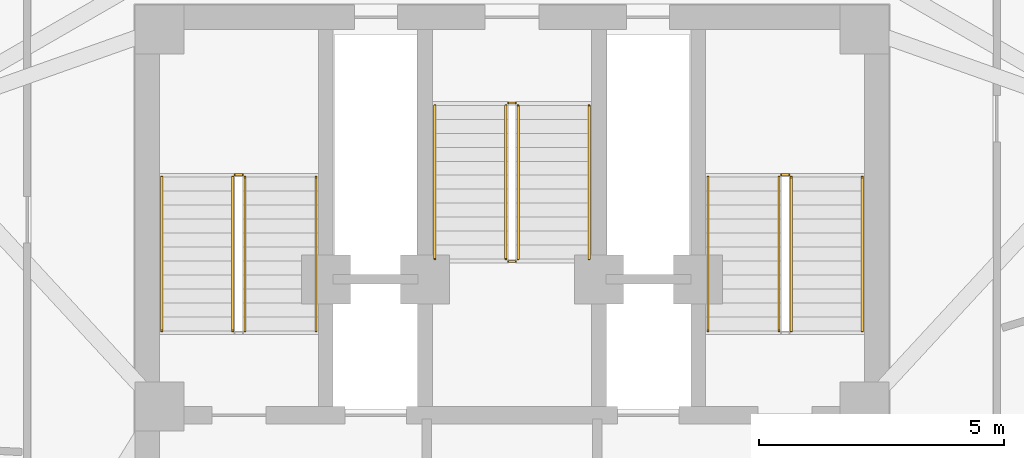
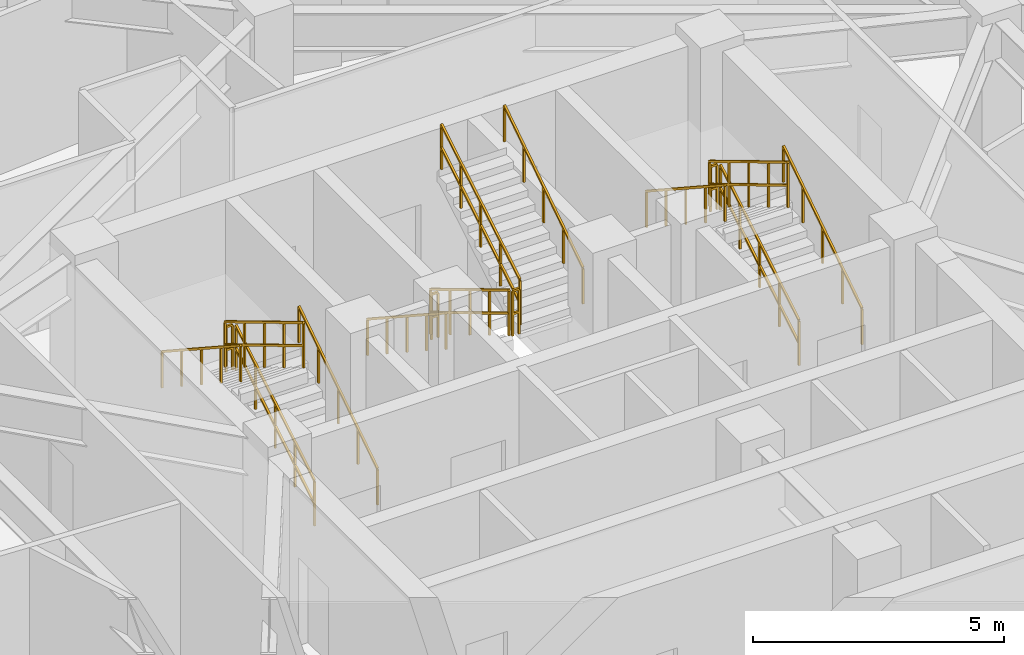
# One storey, part 10 of 11: 16 railings.
"""IFC4 building model written with IfcOpenShell, lengths in metres."""

from ifc_helpers import new_model, si_unit, direction, frame, origin, origin_2d, place, context, subcontext, project, spatial, rectangle, extrude, material, type_object, element, save


model = new_model("IFC4")

# Units and contexts
model_context = context("Model", 3, precision=1e-05, world=origin(), true_north=direction((0.0, 1.0)))
body_context = subcontext(model_context, "Body", "Model", "MODEL_VIEW")
ifc_project = project(units=[si_unit("LENGTHUNIT", "METRE"), si_unit("AREAUNIT", "SQUARE_METRE"), si_unit("VOLUMEUNIT", "CUBIC_METRE"), si_unit("PLANEANGLEUNIT", "RADIAN"), si_unit("MASSUNIT", "GRAM", prefix="KILO")], contexts=[model_context])

# Site, building, storey
site_placement = place(None, origin())
site = spatial("IfcSite", under=ifc_project, at=site_placement, CompositionType="ELEMENT")
building_placement = place(site_placement, origin())
building = spatial("IfcBuilding", under=site, at=building_placement, Name="Apsidion Concourse Tower", CompositionType="ELEMENT")
storey_placement = place(building_placement, frame((0.0, 0.0, 281.89990234375)))
storey = spatial("IfcBuildingStorey", under=building, at=storey_placement, Name="L66", CompositionType="ELEMENT", Elevation=281.89990234375)

# Railings
ifc_material = material(Name="Brushed stainless steel 316", Category="steel")
railing_type_1 = type_object("IfcRailingType", Name="RL-GUARD-1100", PredefinedType="GUARDRAIL", material=ifc_material)
railing_1_placement = place(storey_placement, frame((-5.449951171875, 3.0, 0.1708984375)))
element("IfcRailing", 1, at=railing_1_placement, inside=storey, type_object=railing_type_1, Name="L66 ST1 stair guard 1", PredefinedType="GUARDRAIL", context=body_context, shape_type="SweptSolid", body=[
    extrude(rectangle(XDim=0.048095703125, YDim=0.048095703125, at=origin_2d()), frame((0.0, 0.0, 1.09619140625), z_axis=(0.0, 0.857716804754, 0.514122439544), x_axis=(-1.0, 0.0, 0.0)), (0.0, 0.0, 1.0), 3.655029296875),
    extrude(rectangle(XDim=0.048095703125, YDim=0.048095703125, at=origin_2d()), frame((0.0, 0.0, 0.5361328125), z_axis=(0.0, 0.857716804754, 0.514122439544), x_axis=(-1.0, 0.0, 0.0)), (0.0, 0.0, 1.0), 3.655029296875),
    extrude(rectangle(XDim=0.0419921875, YDim=0.0419921875, at=origin_2d()), origin(), (0.0, 0.0, 1.0), 1.072021484375),
    extrude(rectangle(XDim=0.0419921875, YDim=0.0419921875, at=origin_2d()), frame((0.0, 0.78369140625, 0.4697265625)), (0.0, 0.0, 1.0), 1.072021484375),
    extrude(rectangle(XDim=0.0419921875, YDim=0.0419921875, at=origin_2d()), frame((0.0, 1.5673828125, 0.939453125)), (0.0, 0.0, 1.0), 1.072021484375),
    extrude(rectangle(XDim=0.0419921875, YDim=0.0419921875, at=origin_2d()), frame((0.0, 2.351318359375, 1.409423828125)), (0.0, 0.0, 1.0), 1.072021484375),
    extrude(rectangle(XDim=0.0419921875, YDim=0.0419921875, at=origin_2d()), frame((0.0, 3.135009765625, 1.879150390625)), (0.0, 0.0, 1.0), 1.072021484375),
])
railing_2_placement = place(storey_placement, frame((-5.5, 6.18505859375, 2.050048828125)))
element("IfcRailing", 2, at=railing_2_placement, inside=storey, type_object=railing_type_1, Name="L66 ST1 stair guard 2", PredefinedType="GUARDRAIL", context=body_context, shape_type="SweptSolid", body=[
    extrude(rectangle(XDim=0.048095703125, YDim=0.048095703125, at=origin_2d()), frame((0.0, 0.0, 1.09619140625), z_axis=(-1.0, 0.0, 0.0), x_axis=(0.0, -1.0, 0.0)), (0.0, 0.0, 1.0), 0.14990234375),
    extrude(rectangle(XDim=0.048095703125, YDim=0.048095703125, at=origin_2d()), frame((0.0, 0.0, 0.5361328125), z_axis=(-1.0, 0.0, 0.0), x_axis=(0.0, -1.0, 0.0)), (0.0, 0.0, 1.0), 0.14990234375),
    extrude(rectangle(XDim=0.0419921875, YDim=0.0419921875, at=origin_2d()), origin(), (0.0, 0.0, 1.0), 1.072021484375),
    extrude(rectangle(XDim=0.0419921875, YDim=0.0419921875, at=origin_2d()), frame((-0.14990234375, 0.0, 0.0)), (0.0, 0.0, 1.0), 1.072021484375),
])
railing_3_placement = place(storey_placement, frame((-5.699951171875, 6.135009765625, 2.220947265625)))
element("IfcRailing", 3, at=railing_3_placement, inside=storey, type_object=railing_type_1, Name="L66 ST1 stair guard 3", PredefinedType="GUARDRAIL", context=body_context, shape_type="SweptSolid", body=[
    extrude(rectangle(XDim=0.048095703125, YDim=0.048095703125, at=origin_2d()), frame((0.0, 0.0, 1.09619140625), z_axis=(0.0, -0.857716804754, 0.514122439544), x_axis=(1.0, 0.0, 0.0)), (0.0, 0.0, 1.0), 3.655029296875),
    extrude(rectangle(XDim=0.048095703125, YDim=0.048095703125, at=origin_2d()), frame((0.0, 0.0, 0.5361328125), z_axis=(0.0, -0.857716804754, 0.514122439544), x_axis=(1.0, 0.0, 0.0)), (0.0, 0.0, 1.0), 3.655029296875),
    extrude(rectangle(XDim=0.0419921875, YDim=0.0419921875, at=origin_2d()), origin(), (0.0, 0.0, 1.0), 1.072021484375),
    extrude(rectangle(XDim=0.0419921875, YDim=0.0419921875, at=origin_2d()), frame((0.0, -0.78369140625, 0.4697265625)), (0.0, 0.0, 1.0), 1.072021484375),
    extrude(rectangle(XDim=0.0419921875, YDim=0.0419921875, at=origin_2d()), frame((0.0, -1.5673828125, 0.939453125)), (0.0, 0.0, 1.0), 1.072021484375),
    extrude(rectangle(XDim=0.0419921875, YDim=0.0419921875, at=origin_2d()), frame((0.0, -2.351318359375, 1.409423828125)), (0.0, 0.0, 1.0), 1.072021484375),
    extrude(rectangle(XDim=0.0419921875, YDim=0.0419921875, at=origin_2d()), frame((0.0, -3.135009765625, 1.879150390625)), (0.0, 0.0, 1.0), 1.072021484375),
])
railing_4_placement = place(storey_placement, frame((5.699951171875, 3.0, 0.1708984375)))
element("IfcRailing", 4, at=railing_4_placement, inside=storey, type_object=railing_type_1, Name="L66 ST2 stair guard 1", PredefinedType="GUARDRAIL", context=body_context, shape_type="SweptSolid", body=[
    extrude(rectangle(XDim=0.048095703125, YDim=0.048095703125, at=origin_2d()), frame((0.0, 0.0, 1.09619140625), z_axis=(0.0, 0.857716804754, 0.514122439544), x_axis=(-1.0, 0.0, 0.0)), (0.0, 0.0, 1.0), 3.655029296875),
    extrude(rectangle(XDim=0.048095703125, YDim=0.048095703125, at=origin_2d()), frame((0.0, 0.0, 0.5361328125), z_axis=(0.0, 0.857716804754, 0.514122439544), x_axis=(-1.0, 0.0, 0.0)), (0.0, 0.0, 1.0), 3.655029296875),
    extrude(rectangle(XDim=0.0419921875, YDim=0.0419921875, at=origin_2d()), origin(), (0.0, 0.0, 1.0), 1.072021484375),
    extrude(rectangle(XDim=0.0419921875, YDim=0.0419921875, at=origin_2d()), frame((0.0, 0.78369140625, 0.4697265625)), (0.0, 0.0, 1.0), 1.072021484375),
    extrude(rectangle(XDim=0.0419921875, YDim=0.0419921875, at=origin_2d()), frame((0.0, 1.5673828125, 0.939453125)), (0.0, 0.0, 1.0), 1.072021484375),
    extrude(rectangle(XDim=0.0419921875, YDim=0.0419921875, at=origin_2d()), frame((0.0, 2.351318359375, 1.409423828125)), (0.0, 0.0, 1.0), 1.072021484375),
    extrude(rectangle(XDim=0.0419921875, YDim=0.0419921875, at=origin_2d()), frame((0.0, 3.135009765625, 1.879150390625)), (0.0, 0.0, 1.0), 1.072021484375),
])
railing_5_placement = place(storey_placement, frame((5.64990234375, 6.18505859375, 2.050048828125)))
element("IfcRailing", 5, at=railing_5_placement, inside=storey, type_object=railing_type_1, Name="L66 ST2 stair guard 2", PredefinedType="GUARDRAIL", context=body_context, shape_type="SweptSolid", body=[
    extrude(rectangle(XDim=0.048095703125, YDim=0.048095703125, at=origin_2d()), frame((0.0, 0.0, 1.09619140625), z_axis=(-1.0, 0.0, 0.0), x_axis=(0.0, -1.0, 0.0)), (0.0, 0.0, 1.0), 0.14990234375),
    extrude(rectangle(XDim=0.048095703125, YDim=0.048095703125, at=origin_2d()), frame((0.0, 0.0, 0.5361328125), z_axis=(-1.0, 0.0, 0.0), x_axis=(0.0, -1.0, 0.0)), (0.0, 0.0, 1.0), 0.14990234375),
    extrude(rectangle(XDim=0.0419921875, YDim=0.0419921875, at=origin_2d()), origin(), (0.0, 0.0, 1.0), 1.072021484375),
    extrude(rectangle(XDim=0.0419921875, YDim=0.0419921875, at=origin_2d()), frame((-0.14990234375, 0.0, 0.0)), (0.0, 0.0, 1.0), 1.072021484375),
])
for number, where, name in (
    (6, (5.449951171875, 6.135009765625, 2.220947265625), "L66 ST2 stair guard 3"),
    (7, (-0.125, 7.60009765625, 0.1708984375), "L66 ST3 stair guard 1"),
):
    element("IfcRailing", number, at=place(storey_placement, frame(where)), inside=storey, type_object=railing_type_1, Name=name, PredefinedType="GUARDRAIL", context=body_context, shape_type="SweptSolid", body=[
        extrude(rectangle(XDim=0.048095703125, YDim=0.048095703125, at=origin_2d()), frame((0.0, 0.0, 1.09619140625), z_axis=(0.0, -0.857716804754, 0.514122439544), x_axis=(1.0, 0.0, 0.0)), (0.0, 0.0, 1.0), 3.655029296875),
        extrude(rectangle(XDim=0.048095703125, YDim=0.048095703125, at=origin_2d()), frame((0.0, 0.0, 0.5361328125), z_axis=(0.0, -0.857716804754, 0.514122439544), x_axis=(1.0, 0.0, 0.0)), (0.0, 0.0, 1.0), 3.655029296875),
        extrude(rectangle(XDim=0.0419921875, YDim=0.0419921875, at=origin_2d()), origin(), (0.0, 0.0, 1.0), 1.072021484375),
        extrude(rectangle(XDim=0.0419921875, YDim=0.0419921875, at=origin_2d()), frame((0.0, -0.78369140625, 0.4697265625)), (0.0, 0.0, 1.0), 1.072021484375),
        extrude(rectangle(XDim=0.0419921875, YDim=0.0419921875, at=origin_2d()), frame((0.0, -1.5673828125, 0.939453125)), (0.0, 0.0, 1.0), 1.072021484375),
        extrude(rectangle(XDim=0.0419921875, YDim=0.0419921875, at=origin_2d()), frame((0.0, -2.351318359375, 1.409423828125)), (0.0, 0.0, 1.0), 1.072021484375),
        extrude(rectangle(XDim=0.0419921875, YDim=0.0419921875, at=origin_2d()), frame((0.0, -3.135009765625, 1.879150390625)), (0.0, 0.0, 1.0), 1.072021484375),
    ])
railing_6_placement = place(storey_placement, frame((-0.074951171875, 4.4150390625, 2.050048828125)))
element("IfcRailing", 8, at=railing_6_placement, inside=storey, type_object=railing_type_1, Name="L66 ST3 stair guard 2", PredefinedType="GUARDRAIL", context=body_context, shape_type="SweptSolid", body=[
    extrude(rectangle(XDim=0.048095703125, YDim=0.048095703125, at=origin_2d()), frame((0.0, 0.0, 1.09619140625), z_axis=(1.0, 0.0, 0.0), x_axis=(0.0, 1.0, 0.0)), (0.0, 0.0, 1.0), 0.14990234375),
    extrude(rectangle(XDim=0.048095703125, YDim=0.048095703125, at=origin_2d()), frame((0.0, 0.0, 0.5361328125), z_axis=(1.0, 0.0, 0.0), x_axis=(0.0, 1.0, 0.0)), (0.0, 0.0, 1.0), 0.14990234375),
    extrude(rectangle(XDim=0.0419921875, YDim=0.0419921875, at=origin_2d()), origin(), (0.0, 0.0, 1.0), 1.072021484375),
    extrude(rectangle(XDim=0.0419921875, YDim=0.0419921875, at=origin_2d()), frame((0.14990234375, 0.0, 0.0)), (0.0, 0.0, 1.0), 1.072021484375),
])
railing_7_placement = place(storey_placement, frame((0.125, 4.465087890625, 2.220947265625)))
element("IfcRailing", 9, at=railing_7_placement, inside=storey, type_object=railing_type_1, Name="L66 ST3 stair guard 3", PredefinedType="GUARDRAIL", context=body_context, shape_type="SweptSolid", body=[
    extrude(rectangle(XDim=0.048095703125, YDim=0.048095703125, at=origin_2d()), frame((0.0, 0.0, 1.09619140625), z_axis=(0.0, 0.857716804754, 0.514122439544), x_axis=(-1.0, 0.0, 0.0)), (0.0, 0.0, 1.0), 3.655029296875),
    extrude(rectangle(XDim=0.048095703125, YDim=0.048095703125, at=origin_2d()), frame((0.0, 0.0, 0.5361328125), z_axis=(0.0, 0.857716804754, 0.514122439544), x_axis=(-1.0, 0.0, 0.0)), (0.0, 0.0, 1.0), 3.655029296875),
    extrude(rectangle(XDim=0.0419921875, YDim=0.0419921875, at=origin_2d()), origin(), (0.0, 0.0, 1.0), 1.072021484375),
    extrude(rectangle(XDim=0.0419921875, YDim=0.0419921875, at=origin_2d()), frame((0.0, 0.78369140625, 0.4697265625)), (0.0, 0.0, 1.0), 1.072021484375),
    extrude(rectangle(XDim=0.0419921875, YDim=0.0419921875, at=origin_2d()), frame((0.0, 1.5673828125, 0.939453125)), (0.0, 0.0, 1.0), 1.072021484375),
    extrude(rectangle(XDim=0.0419921875, YDim=0.0419921875, at=origin_2d()), frame((0.0, 2.351318359375, 1.409423828125)), (0.0, 0.0, 1.0), 1.072021484375),
    extrude(rectangle(XDim=0.0419921875, YDim=0.0419921875, at=origin_2d()), frame((0.0, 3.135009765625, 1.879150390625)), (0.0, 0.0, 1.0), 1.072021484375),
])
railing_8_placement = place(storey_placement, frame((-0.074951171875, 7.64990234375, 0.0)))
element("IfcRailing", 10, at=railing_8_placement, inside=storey, type_object=railing_type_1, Name="L66 ST3 stair guard 4", PredefinedType="GUARDRAIL", context=body_context, shape_type="SweptSolid", body=[
    extrude(rectangle(XDim=0.048095703125, YDim=0.048095703125, at=origin_2d()), frame((0.0, 0.0, 1.09619140625), z_axis=(1.0, 0.0, 0.0), x_axis=(0.0, 1.0, 0.0)), (0.0, 0.0, 1.0), 0.14990234375),
    extrude(rectangle(XDim=0.048095703125, YDim=0.048095703125, at=origin_2d()), frame((0.0, 0.0, 0.5361328125), z_axis=(1.0, 0.0, 0.0), x_axis=(0.0, 1.0, 0.0)), (0.0, 0.0, 1.0), 0.14990234375),
    extrude(rectangle(XDim=0.0419921875, YDim=0.0419921875, at=origin_2d()), origin(), (0.0, 0.0, 1.0), 1.072021484375),
    extrude(rectangle(XDim=0.0419921875, YDim=0.0419921875, at=origin_2d()), frame((0.14990234375, 0.0, 0.0)), (0.0, 0.0, 1.0), 1.072021484375),
])
railing_type_2 = type_object("IfcRailingType", Name="RL-HAND-900", PredefinedType="HANDRAIL", material=ifc_material)
railing_9_placement = place(storey_placement, frame((-4.0, 3.0, 0.1708984375)))
element("IfcRailing", 11, at=railing_9_placement, inside=storey, type_object=railing_type_2, Name="L66 ST1 stair handrail 1", PredefinedType="HANDRAIL", context=body_context, shape_type="SweptSolid", body=[
    extrude(rectangle(XDim=0.048095703125, YDim=0.048095703125, at=origin_2d()), frame((0.0, 0.0, 0.8759765625), z_axis=(0.0, 0.836940907821, 0.547293263996), x_axis=(-1.0, 0.0, 0.0)), (0.0, 0.0, 1.0), 3.745849609375),
    extrude(rectangle(XDim=0.0419921875, YDim=0.0419921875, at=origin_2d()), origin(), (0.0, 0.0, 1.0), 0.851806640625),
    extrude(rectangle(XDim=0.0419921875, YDim=0.0419921875, at=origin_2d()), frame((0.0, 0.78369140625, 0.512451171875)), (0.0, 0.0, 1.0), 0.851806640625),
    extrude(rectangle(XDim=0.0419921875, YDim=0.0419921875, at=origin_2d()), frame((0.0, 1.5673828125, 1.02490234375)), (0.0, 0.0, 1.0), 0.851806640625),
    extrude(rectangle(XDim=0.0419921875, YDim=0.0419921875, at=origin_2d()), frame((0.0, 2.351318359375, 1.53759765625)), (0.0, 0.0, 1.0), 0.851806640625),
    extrude(rectangle(XDim=0.0419921875, YDim=0.0419921875, at=origin_2d()), frame((0.0, 3.135009765625, 2.050048828125)), (0.0, 0.0, 1.0), 0.851806640625),
])
railing_10_placement = place(storey_placement, frame((-7.14990234375, 6.135009765625, 2.220947265625)))
element("IfcRailing", 12, at=railing_10_placement, inside=storey, type_object=railing_type_2, Name="L66 ST1 stair handrail 2", PredefinedType="HANDRAIL", context=body_context, shape_type="SweptSolid", body=[
    extrude(rectangle(XDim=0.048095703125, YDim=0.048095703125, at=origin_2d()), frame((0.0, 0.0, 0.8759765625), z_axis=(0.0, -0.836940907821, 0.547293263996), x_axis=(1.0, 0.0, 0.0)), (0.0, 0.0, 1.0), 3.745849609375),
    extrude(rectangle(XDim=0.0419921875, YDim=0.0419921875, at=origin_2d()), origin(), (0.0, 0.0, 1.0), 0.851806640625),
    extrude(rectangle(XDim=0.0419921875, YDim=0.0419921875, at=origin_2d()), frame((0.0, -0.78369140625, 0.512451171875)), (0.0, 0.0, 1.0), 0.851806640625),
    extrude(rectangle(XDim=0.0419921875, YDim=0.0419921875, at=origin_2d()), frame((0.0, -1.5673828125, 1.02490234375)), (0.0, 0.0, 1.0), 0.851806640625),
    extrude(rectangle(XDim=0.0419921875, YDim=0.0419921875, at=origin_2d()), frame((0.0, -2.351318359375, 1.53759765625)), (0.0, 0.0, 1.0), 0.851806640625),
    extrude(rectangle(XDim=0.0419921875, YDim=0.0419921875, at=origin_2d()), frame((0.0, -3.135009765625, 2.050048828125)), (0.0, 0.0, 1.0), 0.851806640625),
])
railing_11_placement = place(storey_placement, frame((7.14990234375, 3.0, 0.1708984375)))
element("IfcRailing", 13, at=railing_11_placement, inside=storey, type_object=railing_type_2, Name="L66 ST2 stair handrail 1", PredefinedType="HANDRAIL", context=body_context, shape_type="SweptSolid", body=[
    extrude(rectangle(XDim=0.048095703125, YDim=0.048095703125, at=origin_2d()), frame((0.0, 0.0, 0.8759765625), z_axis=(0.0, 0.836940907821, 0.547293263996), x_axis=(-1.0, 0.0, 0.0)), (0.0, 0.0, 1.0), 3.745849609375),
    extrude(rectangle(XDim=0.0419921875, YDim=0.0419921875, at=origin_2d()), origin(), (0.0, 0.0, 1.0), 0.851806640625),
    extrude(rectangle(XDim=0.0419921875, YDim=0.0419921875, at=origin_2d()), frame((0.0, 0.78369140625, 0.512451171875)), (0.0, 0.0, 1.0), 0.851806640625),
    extrude(rectangle(XDim=0.0419921875, YDim=0.0419921875, at=origin_2d()), frame((0.0, 1.5673828125, 1.02490234375)), (0.0, 0.0, 1.0), 0.851806640625),
    extrude(rectangle(XDim=0.0419921875, YDim=0.0419921875, at=origin_2d()), frame((0.0, 2.351318359375, 1.53759765625)), (0.0, 0.0, 1.0), 0.851806640625),
    extrude(rectangle(XDim=0.0419921875, YDim=0.0419921875, at=origin_2d()), frame((0.0, 3.135009765625, 2.050048828125)), (0.0, 0.0, 1.0), 0.851806640625),
])
for number, where, name in (
    (14, (4.0, 6.135009765625, 2.220947265625), "L66 ST2 stair handrail 2"),
    (15, (-1.574951171875, 7.60009765625, 0.1708984375), "L66 ST3 stair handrail 1"),
):
    element("IfcRailing", number, at=place(storey_placement, frame(where)), inside=storey, type_object=railing_type_2, Name=name, PredefinedType="HANDRAIL", context=body_context, shape_type="SweptSolid", body=[
        extrude(rectangle(XDim=0.048095703125, YDim=0.048095703125, at=origin_2d()), frame((0.0, 0.0, 0.8759765625), z_axis=(0.0, -0.836940907821, 0.547293263996), x_axis=(1.0, 0.0, 0.0)), (0.0, 0.0, 1.0), 3.745849609375),
        extrude(rectangle(XDim=0.0419921875, YDim=0.0419921875, at=origin_2d()), origin(), (0.0, 0.0, 1.0), 0.851806640625),
        extrude(rectangle(XDim=0.0419921875, YDim=0.0419921875, at=origin_2d()), frame((0.0, -0.78369140625, 0.512451171875)), (0.0, 0.0, 1.0), 0.851806640625),
        extrude(rectangle(XDim=0.0419921875, YDim=0.0419921875, at=origin_2d()), frame((0.0, -1.5673828125, 1.02490234375)), (0.0, 0.0, 1.0), 0.851806640625),
        extrude(rectangle(XDim=0.0419921875, YDim=0.0419921875, at=origin_2d()), frame((0.0, -2.351318359375, 1.53759765625)), (0.0, 0.0, 1.0), 0.851806640625),
        extrude(rectangle(XDim=0.0419921875, YDim=0.0419921875, at=origin_2d()), frame((0.0, -3.135009765625, 2.050048828125)), (0.0, 0.0, 1.0), 0.851806640625),
    ])
railing_12_placement = place(storey_placement, frame((1.574951171875, 4.465087890625, 2.220947265625)))
element("IfcRailing", 16, at=railing_12_placement, inside=storey, type_object=railing_type_2, Name="L66 ST3 stair handrail 2", PredefinedType="HANDRAIL", context=body_context, shape_type="SweptSolid", body=[
    extrude(rectangle(XDim=0.048095703125, YDim=0.048095703125, at=origin_2d()), frame((0.0, 0.0, 0.8759765625), z_axis=(0.0, 0.836940907821, 0.547293263996), x_axis=(-1.0, 0.0, 0.0)), (0.0, 0.0, 1.0), 3.745849609375),
    extrude(rectangle(XDim=0.0419921875, YDim=0.0419921875, at=origin_2d()), origin(), (0.0, 0.0, 1.0), 0.851806640625),
    extrude(rectangle(XDim=0.0419921875, YDim=0.0419921875, at=origin_2d()), frame((0.0, 0.78369140625, 0.512451171875)), (0.0, 0.0, 1.0), 0.851806640625),
    extrude(rectangle(XDim=0.0419921875, YDim=0.0419921875, at=origin_2d()), frame((0.0, 1.5673828125, 1.02490234375)), (0.0, 0.0, 1.0), 0.851806640625),
    extrude(rectangle(XDim=0.0419921875, YDim=0.0419921875, at=origin_2d()), frame((0.0, 2.351318359375, 1.53759765625)), (0.0, 0.0, 1.0), 0.851806640625),
    extrude(rectangle(XDim=0.0419921875, YDim=0.0419921875, at=origin_2d()), frame((0.0, 3.135009765625, 2.050048828125)), (0.0, 0.0, 1.0), 0.851806640625),
])

save(model, "model.ifc")
